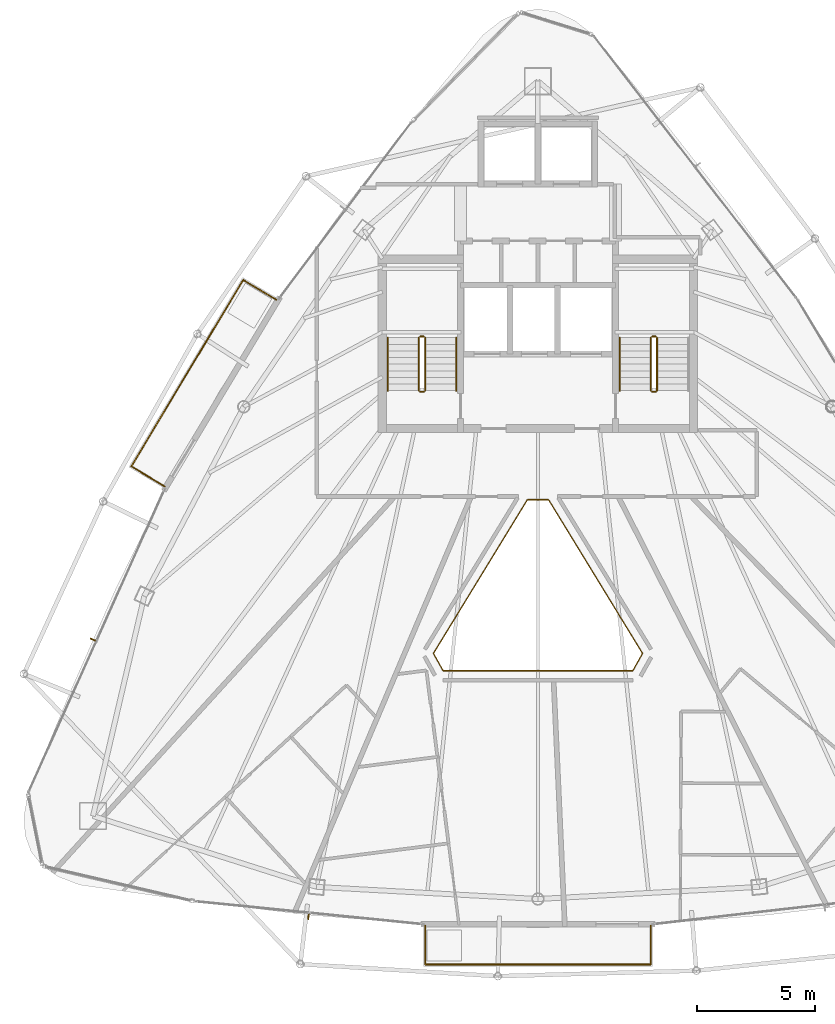
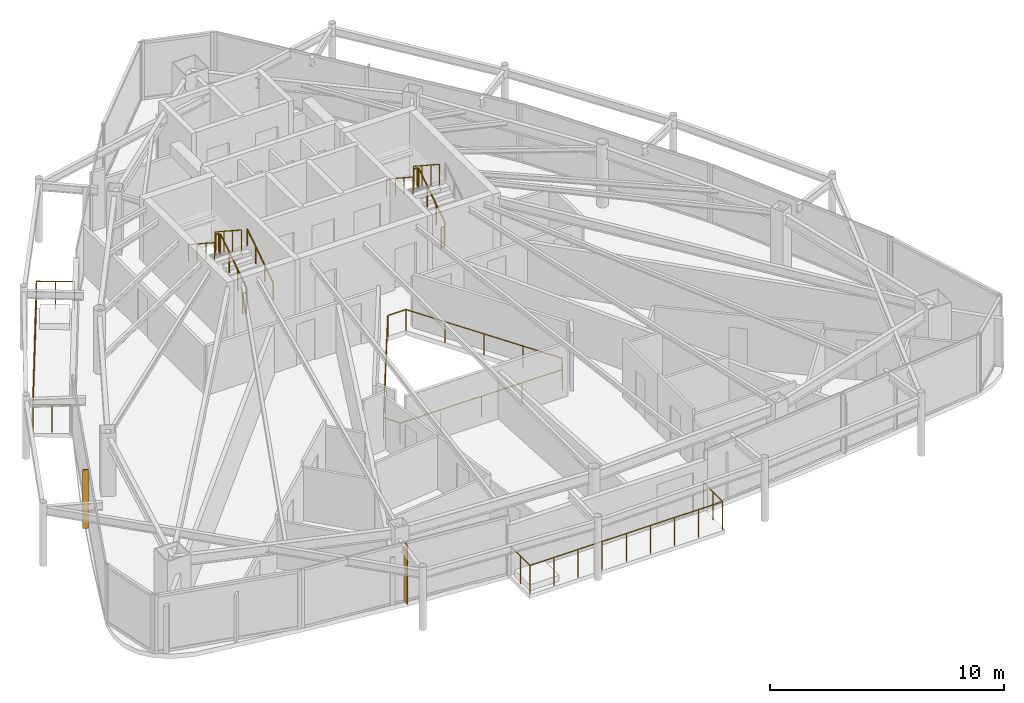
# One storey, part 29 of 30: 14 railings, 2 shading devices.
"""IFC4 building model written with IfcOpenShell, lengths in metres."""

from ifc_helpers import new_model, si_unit, direction, frame, origin, origin_2d, place, context, subcontext, project, spatial, rectangle, circle, extrude, material, layer, layer_set, type_object, element, save


model = new_model("IFC4")

# Units and contexts
model_context = context("Model", 3, precision=1e-05, world=origin(), true_north=direction((0.0, 1.0)))
body_context = subcontext(model_context, "Body", "Model", "MODEL_VIEW")
ifc_project = project(units=[si_unit("LENGTHUNIT", "METRE"), si_unit("AREAUNIT", "SQUARE_METRE"), si_unit("VOLUMEUNIT", "CUBIC_METRE"), si_unit("PLANEANGLEUNIT", "RADIAN"), si_unit("MASSUNIT", "GRAM", prefix="KILO")], contexts=[model_context])

# Site, building, storey
site_placement = place(None, origin())
site = spatial("IfcSite", under=ifc_project, at=site_placement, CompositionType="ELEMENT")
building_placement = place(site_placement, origin())
building = spatial("IfcBuilding", under=site, at=building_placement, Name="Orvanel Arch Residences", CompositionType="ELEMENT")
storey_placement = place(building_placement, frame((0.0, 0.0, 270.050048828125)))
storey = spatial("IfcBuildingStorey", under=building, at=storey_placement, Name="L77", CompositionType="ELEMENT", Elevation=270.050048828125)

# Shading devices
ifc_material_1 = material(Name="Bronze-anodised aluminium AA6063-T6", Category="aluminium")
ifc_layer = layer(ifc_material_1, 0.050048828125)
ifc_layer_set = layer_set([ifc_layer], Name="Bronze-anodised aluminium AA6063-T6")
shading_device_type = type_object("IfcShadingDeviceType", Name="FIN-BRZ-260", PredefinedType="USERDEFINED", material=ifc_layer_set)
for number, where, z_axis, x_axis, name in (
    (1, (14.201904296875, 17.802978515625, 0.0), (0.0, 0.0, 1.0), (-0.912120116172, 0.409923033842, 0.0), "L77 Anodised Bronze Mullion FIN 01"),
    (2, (23.303955078125, 6.10693359375, 0.0), (0.0, 0.0, 1.0), (-0.099319749744, -0.995055569961, 0.0), "L77 Anodised Bronze Mullion FIN 01"),
):
    element("IfcShadingDevice", number, at=place(storey_placement, frame(where, z_axis=z_axis, x_axis=x_axis)), inside=storey, type_object=shading_device_type, Name=name, ObjectType="FIN", PredefinedType="USERDEFINED", context=body_context, shape_type="SweptSolid", body=[
        extrude(rectangle(XDim=0.260009765625, YDim=0.050048828125, at=origin_2d()), origin(), (0.0, 0.0, 1.0), 3.06005859375),
    ])

# Railings
railing_type_1 = type_object("IfcRailingType", Name="RL-ATR-1120", PredefinedType="BALUSTRADE", material=ifc_material_1)
railing_1_placement = place(storey_placement, frame((33.447021484375, 23.7119140625, 0.0)))
element("IfcRailing", 3, at=railing_1_placement, inside=storey, type_object=railing_type_1, Name="L77 Atrium Void Protective Balustrade", PredefinedType="BALUSTRADE", context=body_context, shape_type="SweptSolid", body=[
    extrude(circle(Radius=0.02392578125, at=origin_2d()), frame((-0.00146484375, 0.0, 1.09619140625), z_axis=(-1.0, 0.0, 0.0), x_axis=(0.0, -1.0, 0.0)), (0.0, 0.0, 1.0), 0.89111328125),
    extrude(circle(Radius=0.02392578125, at=origin_2d()), frame((-0.894775390625, -0.001220703125, 1.09619140625), z_axis=(-0.521612229543, -0.853182677972, 0.0), x_axis=(0.853182677972, -0.521612229543, 0.0)), (0.0, 0.0, 1.0), 7.606201171875),
    extrude(circle(Radius=0.02392578125, at=origin_2d()), frame((-4.8623046875, -6.4931640625, 1.09619140625), z_axis=(0.488629954368, -0.872491127573, 0.0), x_axis=(0.872491127573, 0.488629954368, 0.0)), (0.0, 0.0, 1.0), 0.8359375),
    extrude(circle(Radius=0.02392578125, at=origin_2d()), frame((-4.45166015625, -7.223876953125, 1.09619140625), z_axis=(1.0, 0.0, 0.0), x_axis=(0.0, 1.0, 0.0)), (0.0, 0.0, 1.0), 8.00927734375),
    extrude(circle(Radius=0.02392578125, at=origin_2d()), frame((3.559814453125, -7.22265625, 1.09619140625), z_axis=(0.488629954368, 0.872491127573, 0.0), x_axis=(-0.872491127573, 0.488629954368, 0.0)), (0.0, 0.0, 1.0), 0.8359375),
    extrude(circle(Radius=0.02392578125, at=origin_2d()), frame((3.96826171875, -6.49072265625, 1.09619140625), z_axis=(-0.521612229543, 0.853182677972, 0.0), x_axis=(-0.853182677972, -0.521612229543, 0.0)), (0.0, 0.0, 1.0), 7.606201171875),
    extrude(circle(Radius=0.02099609375, at=origin_2d()), origin(), (0.0, 0.0, 1.0), 1.070068359375),
    extrude(circle(Radius=0.02099609375, at=origin_2d()), frame((-0.89404296875, 0.0, 0.0)), (0.0, 0.0, 1.0), 1.070068359375),
    extrude(circle(Radius=0.02099609375, at=origin_2d()), frame((-1.88623046875, -1.623046875, 0.0)), (0.0, 0.0, 1.0), 1.070068359375),
    extrude(circle(Radius=0.02099609375, at=origin_2d()), frame((-2.87841796875, -3.24609375, 0.0)), (0.0, 0.0, 1.0), 1.070068359375),
    extrude(circle(Radius=0.02099609375, at=origin_2d()), frame((-3.870849609375, -4.868896484375, 0.0)), (0.0, 0.0, 1.0), 1.070068359375),
    extrude(circle(Radius=0.02099609375, at=origin_2d()), frame((-4.863037109375, -6.491943359375, 0.0)), (0.0, 0.0, 1.0), 1.070068359375),
    extrude(circle(Radius=0.02099609375, at=origin_2d()), frame((-4.453125, -7.223876953125, 0.0)), (0.0, 0.0, 1.0), 1.070068359375),
    extrude(circle(Radius=0.02099609375, at=origin_2d()), frame((-2.4501953125, -7.223876953125, 0.0)), (0.0, 0.0, 1.0), 1.070068359375),
    extrude(circle(Radius=0.02099609375, at=origin_2d()), frame((-0.447021484375, -7.223876953125, 0.0)), (0.0, 0.0, 1.0), 1.070068359375),
    extrude(circle(Radius=0.02099609375, at=origin_2d()), frame((1.55615234375, -7.223876953125, 0.0)), (0.0, 0.0, 1.0), 1.070068359375),
    extrude(circle(Radius=0.02099609375, at=origin_2d()), frame((3.55908203125, -7.223876953125, 0.0)), (0.0, 0.0, 1.0), 1.070068359375),
    extrude(circle(Radius=0.02099609375, at=origin_2d()), frame((3.968994140625, -6.491943359375, 0.0)), (0.0, 0.0, 1.0), 1.070068359375),
    extrude(circle(Radius=0.02099609375, at=origin_2d()), frame((2.976806640625, -4.868896484375, 0.0)), (0.0, 0.0, 1.0), 1.070068359375),
    extrude(circle(Radius=0.02099609375, at=origin_2d()), frame((1.984375, -3.24609375, 0.0)), (0.0, 0.0, 1.0), 1.070068359375),
    extrude(circle(Radius=0.02099609375, at=origin_2d()), frame((0.9921875, -1.623046875, 0.0)), (0.0, 0.0, 1.0), 1.070068359375),
])
railing_type_2 = type_object("IfcRailingType", Name="RL-BAL-1480", PredefinedType="BALUSTRADE", material=ifc_material_1)
railing_2_placement = place(storey_placement, frame((21.950927734375, 32.156982421875, 0.0)))
element("IfcRailing", 4, at=railing_2_placement, inside=storey, type_object=railing_type_2, Name="L77 Balcony Perimeter Guardrail Face 1", PredefinedType="BALUSTRADE", context=body_context, shape_type="SweptSolid", body=[
    extrude(circle(Radius=0.02392578125, at=origin_2d()), frame((-0.001220703125, 0.000732421875, 1.4560546875), z_axis=(-0.857387817543, 0.514670895164, 0.0), x_axis=(-0.514670895164, -0.857387817543, 0.0)), (0.0, 0.0, 1.0), 1.636962890625),
    extrude(circle(Radius=0.02392578125, at=origin_2d()), frame((-1.40673828125, 0.8427734375, 1.4560546875), z_axis=(-0.514374608429, -0.857565602274, 0.0), x_axis=(0.857565602274, -0.514374608429, 0.0)), (0.0, 0.0, 1.0), 9.1845703125),
    extrude(circle(Radius=0.02392578125, at=origin_2d()), frame((-6.130615234375, -7.03564453125, 1.4560546875), z_axis=(0.857545439568, -0.514408222208, 0.0), x_axis=(0.514408222208, 0.857545439568, 0.0)), (0.0, 0.0, 1.0), 1.6376953125),
    extrude(circle(Radius=0.02099609375, at=origin_2d()), origin(), (0.0, 0.0, 1.0), 1.429931640625),
    extrude(circle(Radius=0.02099609375, at=origin_2d()), frame((-0.703125, 0.421875, 0.0)), (0.0, 0.0, 1.0), 1.429931640625),
    extrude(circle(Radius=0.02099609375, at=origin_2d()), frame((-1.406005859375, 0.843994140625, 0.0)), (0.0, 0.0, 1.0), 1.429931640625),
    extrude(circle(Radius=0.02099609375, at=origin_2d()), frame((-1.996826171875, -0.140869140625, 0.0)), (0.0, 0.0, 1.0), 1.429931640625),
    extrude(circle(Radius=0.02099609375, at=origin_2d()), frame((-2.58740234375, -1.125732421875, 0.0)), (0.0, 0.0, 1.0), 1.429931640625),
    extrude(circle(Radius=0.02099609375, at=origin_2d()), frame((-3.17822265625, -2.110595703125, 0.0)), (0.0, 0.0, 1.0), 1.429931640625),
    extrude(circle(Radius=0.02099609375, at=origin_2d()), frame((-3.76904296875, -3.095458984375, 0.0)), (0.0, 0.0, 1.0), 1.429931640625),
    extrude(circle(Radius=0.02099609375, at=origin_2d()), frame((-4.359619140625, -4.080322265625, 0.0)), (0.0, 0.0, 1.0), 1.429931640625),
    extrude(circle(Radius=0.02099609375, at=origin_2d()), frame((-4.950439453125, -5.065185546875, 0.0)), (0.0, 0.0, 1.0), 1.429931640625),
    extrude(circle(Radius=0.02099609375, at=origin_2d()), frame((-5.541015625, -6.050048828125, 0.0)), (0.0, 0.0, 1.0), 1.429931640625),
    extrude(circle(Radius=0.02099609375, at=origin_2d()), frame((-6.1318359375, -7.034912109375, 0.0)), (0.0, 0.0, 1.0), 1.429931640625),
    extrude(circle(Radius=0.02099609375, at=origin_2d()), frame((-5.42822265625, -7.45703125, 0.0)), (0.0, 0.0, 1.0), 1.429931640625),
    extrude(circle(Radius=0.02099609375, at=origin_2d()), frame((-4.724853515625, -7.87890625, 0.0)), (0.0, 0.0, 1.0), 1.429931640625),
])
railing_3_placement = place(storey_placement, frame((28.239990234375, 5.714111328125, 0.0)))
element("IfcRailing", 5, at=railing_3_placement, inside=storey, type_object=railing_type_2, Name="L77 Balcony Perimeter Guardrail Face 2", PredefinedType="BALUSTRADE", context=body_context, shape_type="SweptSolid", body=[
    extrude(circle(Radius=0.02392578125, at=origin_2d()), frame((0.0, -0.00146484375, 1.4560546875), z_axis=(0.0, -1.0, 0.0), x_axis=(1.0, 0.0, 0.0)), (0.0, 0.0, 1.0), 1.63720703125),
    extrude(circle(Radius=0.02392578125, at=origin_2d()), frame((0.00146484375, -1.64013671875, 1.4560546875), z_axis=(1.0, 0.0, 0.0), x_axis=(0.0, 1.0, 0.0)), (0.0, 0.0, 1.0), 9.51708984375),
    extrude(circle(Radius=0.02392578125, at=origin_2d()), frame((9.52001953125, -1.638671875, 1.4560546875), z_axis=(0.0, 1.0, 0.0), x_axis=(-1.0, 0.0, 0.0)), (0.0, 0.0, 1.0), 1.63720703125),
    extrude(circle(Radius=0.02099609375, at=origin_2d()), origin(), (0.0, 0.0, 1.0), 1.429931640625),
    extrude(circle(Radius=0.02099609375, at=origin_2d()), frame((0.0, -0.820068359375, 0.0)), (0.0, 0.0, 1.0), 1.429931640625),
    extrude(circle(Radius=0.02099609375, at=origin_2d()), frame((0.0, -1.64013671875, 0.0)), (0.0, 0.0, 1.0), 1.429931640625),
    extrude(circle(Radius=0.02099609375, at=origin_2d()), frame((1.18994140625, -1.64013671875, 0.0)), (0.0, 0.0, 1.0), 1.429931640625),
    extrude(circle(Radius=0.02099609375, at=origin_2d()), frame((2.3798828125, -1.64013671875, 0.0)), (0.0, 0.0, 1.0), 1.429931640625),
    extrude(circle(Radius=0.02099609375, at=origin_2d()), frame((3.570068359375, -1.64013671875, 0.0)), (0.0, 0.0, 1.0), 1.429931640625),
    extrude(circle(Radius=0.02099609375, at=origin_2d()), frame((4.760009765625, -1.64013671875, 0.0)), (0.0, 0.0, 1.0), 1.429931640625),
    extrude(circle(Radius=0.02099609375, at=origin_2d()), frame((5.949951171875, -1.64013671875, 0.0)), (0.0, 0.0, 1.0), 1.429931640625),
    extrude(circle(Radius=0.02099609375, at=origin_2d()), frame((7.14013671875, -1.64013671875, 0.0)), (0.0, 0.0, 1.0), 1.429931640625),
    extrude(circle(Radius=0.02099609375, at=origin_2d()), frame((8.330078125, -1.64013671875, 0.0)), (0.0, 0.0, 1.0), 1.429931640625),
    extrude(circle(Radius=0.02099609375, at=origin_2d()), frame((9.52001953125, -1.64013671875, 0.0)), (0.0, 0.0, 1.0), 1.429931640625),
    extrude(circle(Radius=0.02099609375, at=origin_2d()), frame((9.52001953125, -0.820068359375, 0.0)), (0.0, 0.0, 1.0), 1.429931640625),
    extrude(circle(Radius=0.02099609375, at=origin_2d()), frame((9.52001953125, 0.0, 0.0)), (0.0, 0.0, 1.0), 1.429931640625),
])
ifc_material_2 = material(Name="Structural steel AS/NZS 1163 C350L0 (Grade 350)", Category="steel")
railing_type_3 = type_object("IfcRailingType", Name="RL-STAIR-GUARD", PredefinedType="GUARDRAIL", material=ifc_material_2)
railing_4_placement = place(storey_placement, frame((28.22998046875, 28.320068359375, 0.183349609375)))
element("IfcRailing", 6, at=railing_4_placement, inside=storey, type_object=railing_type_3, Name="L77 ST-1 stair guard 1", PredefinedType="GUARDRAIL", context=body_context, shape_type="SweptSolid", body=[
    extrude(circle(Radius=0.02392578125, at=origin_2d()), frame((0.0, 0.001220703125, 1.076904296875), z_axis=(0.0, 0.836636935527, 0.547757827979), x_axis=(-1.0, 0.0, 0.0)), (0.0, 0.0, 1.0), 2.67431640625),
    extrude(circle(Radius=0.02099609375, at=origin_2d()), origin(), (0.0, 0.0, 1.0), 1.050048828125),
    extrude(circle(Radius=0.02099609375, at=origin_2d()), frame((0.0, 0.74658203125, 0.48876953125)), (0.0, 0.0, 1.0), 1.050048828125),
    extrude(circle(Radius=0.02099609375, at=origin_2d()), frame((0.0, 1.493408203125, 0.977783203125)), (0.0, 0.0, 1.0), 1.050048828125),
    extrude(circle(Radius=0.02099609375, at=origin_2d()), frame((0.0, 2.239990234375, 1.466552734375)), (0.0, 0.0, 1.0), 1.050048828125),
])
railing_5_placement = place(storey_placement, frame((28.179931640625, 30.610107421875, 1.64990234375)))
element("IfcRailing", 7, at=railing_5_placement, inside=storey, type_object=railing_type_3, Name="L77 ST-1 stair guard 2", PredefinedType="GUARDRAIL", context=body_context, shape_type="SweptSolid", body=[
    extrude(circle(Radius=0.02392578125, at=origin_2d()), frame((-0.00146484375, 0.0, 1.076171875), z_axis=(-1.0, 0.0, 0.0), x_axis=(0.0, -1.0, 0.0)), (0.0, 0.0, 1.0), 0.156982421875),
    extrude(circle(Radius=0.02099609375, at=origin_2d()), origin(), (0.0, 0.0, 1.0), 1.050048828125),
    extrude(circle(Radius=0.02099609375, at=origin_2d()), frame((-0.159912109375, 0.0, 0.0)), (0.0, 0.0, 1.0), 1.050048828125),
])
railing_6_placement = place(storey_placement, frame((27.969970703125, 30.56005859375, 1.833251953125)))
element("IfcRailing", 8, at=railing_6_placement, inside=storey, type_object=railing_type_3, Name="L77 ST-1 stair guard 3", PredefinedType="GUARDRAIL", context=body_context, shape_type="SweptSolid", body=[
    extrude(circle(Radius=0.02392578125, at=origin_2d()), frame((0.0, -0.001220703125, 1.076904296875), z_axis=(0.0, -0.836595146698, 0.547821650285), x_axis=(1.0, 0.0, 0.0)), (0.0, 0.0, 1.0), 2.674560546875),
    extrude(circle(Radius=0.02099609375, at=origin_2d()), origin(), (0.0, 0.0, 1.0), 1.050048828125),
    extrude(circle(Radius=0.02099609375, at=origin_2d()), frame((0.0, -0.74658203125, 0.489013671875)), (0.0, 0.0, 1.0), 1.050048828125),
    extrude(circle(Radius=0.02099609375, at=origin_2d()), frame((0.0, -1.493408203125, 0.977783203125)), (0.0, 0.0, 1.0), 1.050048828125),
    extrude(circle(Radius=0.02099609375, at=origin_2d()), frame((0.0, -2.239990234375, 1.466796875)), (0.0, 0.0, 1.0), 1.050048828125),
])
railing_7_placement = place(storey_placement, frame((28.179931640625, 28.27001953125, 0.0)))
element("IfcRailing", 9, at=railing_7_placement, inside=storey, type_object=railing_type_3, Name="L77 ST-1 stair guard 4", PredefinedType="GUARDRAIL", context=body_context, shape_type="SweptSolid", body=[
    extrude(circle(Radius=0.02392578125, at=origin_2d()), frame((-0.00146484375, 0.0, 1.076171875), z_axis=(-1.0, 0.0, 0.0), x_axis=(0.0, -1.0, 0.0)), (0.0, 0.0, 1.0), 0.156982421875),
    extrude(circle(Radius=0.02099609375, at=origin_2d()), origin(), (0.0, 0.0, 1.0), 1.050048828125),
    extrude(circle(Radius=0.02099609375, at=origin_2d()), frame((-0.159912109375, 0.0, 0.0)), (0.0, 0.0, 1.0), 1.050048828125),
])
railing_8_placement = place(storey_placement, frame((38.030029296875, 28.320068359375, 0.183349609375)))
element("IfcRailing", 10, at=railing_8_placement, inside=storey, type_object=railing_type_3, Name="L77 ST-2 stair guard 1", PredefinedType="GUARDRAIL", context=body_context, shape_type="SweptSolid", body=[
    extrude(circle(Radius=0.02392578125, at=origin_2d()), frame((0.0, 0.001220703125, 1.076904296875), z_axis=(0.0, 0.836636935527, 0.547757827979), x_axis=(-1.0, 0.0, 0.0)), (0.0, 0.0, 1.0), 2.67431640625),
    extrude(circle(Radius=0.02099609375, at=origin_2d()), origin(), (0.0, 0.0, 1.0), 1.050048828125),
    extrude(circle(Radius=0.02099609375, at=origin_2d()), frame((0.0, 0.74658203125, 0.48876953125)), (0.0, 0.0, 1.0), 1.050048828125),
    extrude(circle(Radius=0.02099609375, at=origin_2d()), frame((0.0, 1.493408203125, 0.977783203125)), (0.0, 0.0, 1.0), 1.050048828125),
    extrude(circle(Radius=0.02099609375, at=origin_2d()), frame((0.0, 2.239990234375, 1.466552734375)), (0.0, 0.0, 1.0), 1.050048828125),
])
railing_9_placement = place(storey_placement, frame((37.97998046875, 30.610107421875, 1.64990234375)))
element("IfcRailing", 11, at=railing_9_placement, inside=storey, type_object=railing_type_3, Name="L77 ST-2 stair guard 2", PredefinedType="GUARDRAIL", context=body_context, shape_type="SweptSolid", body=[
    extrude(circle(Radius=0.02392578125, at=origin_2d()), frame((-0.00146484375, 0.0, 1.076171875), z_axis=(-1.0, 0.0, 0.0), x_axis=(0.0, -1.0, 0.0)), (0.0, 0.0, 1.0), 0.156982421875),
    extrude(circle(Radius=0.02099609375, at=origin_2d()), origin(), (0.0, 0.0, 1.0), 1.050048828125),
    extrude(circle(Radius=0.02099609375, at=origin_2d()), frame((-0.159912109375, 0.0, 0.0)), (0.0, 0.0, 1.0), 1.050048828125),
])
railing_10_placement = place(storey_placement, frame((37.77001953125, 30.56005859375, 1.833251953125)))
element("IfcRailing", 12, at=railing_10_placement, inside=storey, type_object=railing_type_3, Name="L77 ST-2 stair guard 3", PredefinedType="GUARDRAIL", context=body_context, shape_type="SweptSolid", body=[
    extrude(circle(Radius=0.02392578125, at=origin_2d()), frame((0.0, -0.001220703125, 1.076904296875), z_axis=(0.0, -0.836595146698, 0.547821650285), x_axis=(1.0, 0.0, 0.0)), (0.0, 0.0, 1.0), 2.674560546875),
    extrude(circle(Radius=0.02099609375, at=origin_2d()), origin(), (0.0, 0.0, 1.0), 1.050048828125),
    extrude(circle(Radius=0.02099609375, at=origin_2d()), frame((0.0, -0.74658203125, 0.489013671875)), (0.0, 0.0, 1.0), 1.050048828125),
    extrude(circle(Radius=0.02099609375, at=origin_2d()), frame((0.0, -1.493408203125, 0.977783203125)), (0.0, 0.0, 1.0), 1.050048828125),
    extrude(circle(Radius=0.02099609375, at=origin_2d()), frame((0.0, -2.239990234375, 1.466796875)), (0.0, 0.0, 1.0), 1.050048828125),
])
railing_11_placement = place(storey_placement, frame((37.97998046875, 28.27001953125, 0.0)))
element("IfcRailing", 13, at=railing_11_placement, inside=storey, type_object=railing_type_3, Name="L77 ST-2 stair guard 4", PredefinedType="GUARDRAIL", context=body_context, shape_type="SweptSolid", body=[
    extrude(circle(Radius=0.02392578125, at=origin_2d()), frame((-0.00146484375, 0.0, 1.076171875), z_axis=(-1.0, 0.0, 0.0), x_axis=(0.0, -1.0, 0.0)), (0.0, 0.0, 1.0), 0.156982421875),
    extrude(circle(Radius=0.02099609375, at=origin_2d()), origin(), (0.0, 0.0, 1.0), 1.050048828125),
    extrude(circle(Radius=0.02099609375, at=origin_2d()), frame((-0.159912109375, 0.0, 0.0)), (0.0, 0.0, 1.0), 1.050048828125),
])
railing_type_4 = type_object("IfcRailingType", Name="RL-STAIR-HAND", PredefinedType="HANDRAIL", material=ifc_material_2)
railing_12_placement = place(storey_placement, frame((29.550048828125, 28.320068359375, 0.183349609375)))
element("IfcRailing", 14, at=railing_12_placement, inside=storey, type_object=railing_type_4, Name="L77 ST-1 stair handrail 1", PredefinedType="HANDRAIL", context=body_context, shape_type="SweptSolid", body=[
    extrude(circle(Radius=0.02392578125, at=origin_2d()), frame((0.0, 0.001220703125, 0.876708984375), z_axis=(0.0, 0.836636935527, 0.547757827979), x_axis=(-1.0, 0.0, 0.0)), (0.0, 0.0, 1.0), 2.67431640625),
    extrude(circle(Radius=0.02099609375, at=origin_2d()), origin(), (0.0, 0.0, 1.0), 0.849853515625),
    extrude(circle(Radius=0.02099609375, at=origin_2d()), frame((0.0, 0.74658203125, 0.48876953125)), (0.0, 0.0, 1.0), 0.849853515625),
    extrude(circle(Radius=0.02099609375, at=origin_2d()), frame((0.0, 1.493408203125, 0.977783203125)), (0.0, 0.0, 1.0), 0.849853515625),
    extrude(circle(Radius=0.02099609375, at=origin_2d()), frame((0.0, 2.239990234375, 1.466552734375)), (0.0, 0.0, 1.0), 0.849853515625),
])
for number, where, name in (
    (15, (26.64990234375, 30.56005859375, 1.833251953125), "L77 ST-1 stair handrail 2"),
    (16, (36.449951171875, 30.56005859375, 1.833251953125), "L77 ST-2 stair handrail 2"),
):
    element("IfcRailing", number, at=place(storey_placement, frame(where)), inside=storey, type_object=railing_type_4, Name=name, PredefinedType="HANDRAIL", context=body_context, shape_type="SweptSolid", body=[
        extrude(circle(Radius=0.02392578125, at=origin_2d()), frame((0.0, -0.001220703125, 0.876708984375), z_axis=(0.0, -0.836595146698, 0.547821650285), x_axis=(1.0, 0.0, 0.0)), (0.0, 0.0, 1.0), 2.674560546875),
        extrude(circle(Radius=0.02099609375, at=origin_2d()), origin(), (0.0, 0.0, 1.0), 0.849853515625),
        extrude(circle(Radius=0.02099609375, at=origin_2d()), frame((0.0, -0.74658203125, 0.489013671875)), (0.0, 0.0, 1.0), 0.849853515625),
        extrude(circle(Radius=0.02099609375, at=origin_2d()), frame((0.0, -1.493408203125, 0.977783203125)), (0.0, 0.0, 1.0), 0.849853515625),
        extrude(circle(Radius=0.02099609375, at=origin_2d()), frame((0.0, -2.239990234375, 1.466796875)), (0.0, 0.0, 1.0), 0.849853515625),
    ])

save(model, "model.ifc")
